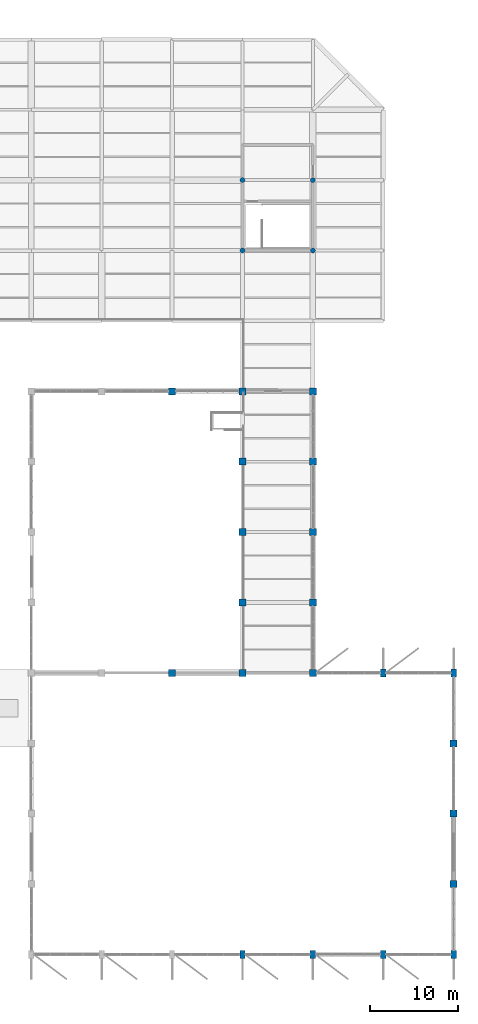
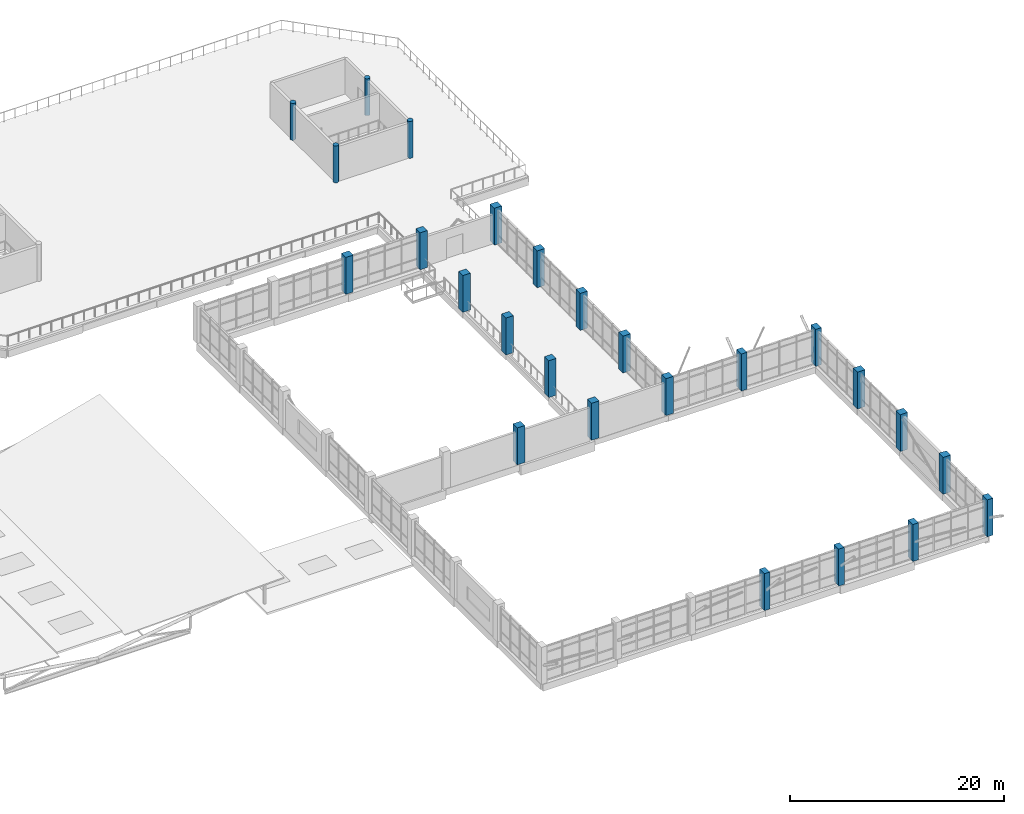
# One storey, part 2 of 84: 25 columns.
"""IFC4 building model written with IfcOpenShell, lengths in metres."""

from ifc_helpers import new_model, si_unit, direction, frame, origin, origin_2d, place, context, subcontext, project, spatial, rectangle, circle, extrude, material, material_profile, profile_set, type_object, element, save


model = new_model("IFC4")

# Units and contexts
model_context = context("Model", 3, precision=1e-05, world=origin(), true_north=direction((0.0, 1.0)))
body_context = subcontext(model_context, "Body", "Model", "MODEL_VIEW")
ifc_project = project(units=[si_unit("LENGTHUNIT", "METRE"), si_unit("AREAUNIT", "SQUARE_METRE"), si_unit("VOLUMEUNIT", "CUBIC_METRE"), si_unit("PLANEANGLEUNIT", "RADIAN"), si_unit("MASSUNIT", "GRAM", prefix="KILO")], contexts=[model_context])

# Site, building, storey
site_placement = place(None, origin())
site = spatial("IfcSite", under=ifc_project, at=site_placement, CompositionType="ELEMENT")
building_placement = place(site_placement, origin())
building = spatial("IfcBuilding", under=site, at=building_placement, Name="Tenunan Teduh Sports Hall", CompositionType="ELEMENT")
storey_placement = place(building_placement, frame((0.0, 0.0, 10.800048828125)))
storey = spatial("IfcBuildingStorey", under=building, at=storey_placement, Name="L02", CompositionType="ELEMENT", Elevation=10.800048828125)

# Columns
ifc_material_1 = material(Name="Concrete C40/50", Category="concrete")
ifc_material_profile_1 = material_profile(ifc_material_1, rectangle(XDim=0.60009765625, YDim=0.89990234375, at=origin_2d()), Name="RC 600x900")
ifc_profile_set_1 = profile_set([ifc_material_profile_1], Name="Concrete C40/50")
column_type_1 = type_object("IfcColumnType", Name="COL-RC-600x900", PredefinedType="COLUMN", material=ifc_profile_set_1)
for number, where, z_axis, x_axis, name in (
    (1, (146.0, 14.0, 0.0), (0.0, 0.0, 1.0), (1.0, 0.0, 0.0), "COL-C-17-L02-187"),
    (2, (154.0, 14.0, 0.0), (0.0, 0.0, 1.0), (1.0, 0.0, 0.0), "COL-C-17-L02-200"),
    (3, (162.0, 14.0, 0.0), (0.0, 0.0, 1.0), (1.0, 0.0, 0.0), "COL-C-17-L02-213"),
    (4, (162.0, 46.0, 0.0), (0.0, 0.0, 1.0), (1.0, 0.0, 0.0), "COL-C-17-L02-215"),
    (5, (170.0, 14.0, 0.0), (0.0, 0.0, 1.0), (1.0, 0.0, 0.0), "COL-C-17-L02-221"),
    (6, (170.0, 46.0, 0.0), (0.0, 0.0, 1.0), (1.0, 0.0, 0.0), "COL-C-17-L02-225"),
):
    element("IfcColumn", number, at=place(storey_placement, frame(where, z_axis=z_axis, x_axis=x_axis)), inside=storey, type_object=column_type_1, Name=name, PredefinedType="COLUMN", context=body_context, shape_type="SweptSolid", body=[
        extrude(rectangle(XDim=0.60009765625, YDim=0.89990234375, at=origin_2d()), origin(), (0.0, 0.0, 1.0), 4.199951171875),
    ])
ifc_material_2 = material(Name="Concrete C40/50", Category="concrete")
ifc_material_profile_2 = material_profile(ifc_material_2, rectangle(XDim=0.800048828125, YDim=0.800048828125, at=origin_2d()), Name="RC 800x800")
ifc_profile_set_2 = profile_set([ifc_material_profile_2], Name="Concrete C40/50")
column_type_2 = type_object("IfcColumnType", Name="COL-RC-800", PredefinedType="COLUMN", material=ifc_profile_set_2)
for number, where, z_axis, x_axis, name in (
    (7, (138.0, 46.0, 0.0), (0.0, 0.0, 1.0), (1.0, 0.0, 0.0), "COL-C-05-L02-179"),
    (8, (138.0, 78.0, 0.0), (0.0, 0.0, 1.0), (1.0, 0.0, 0.0), "COL-C-05-L02-180"),
    (9, (146.0, 46.0, 0.0), (0.0, 0.0, 1.0), (1.0, 0.0, 0.0), "COL-C-05-L02-189"),
    (10, (146.0, 54.0, 0.0), (0.0, 0.0, 1.0), (1.0, 0.0, 0.0), "COL-C-05-L02-190"),
    (11, (146.0, 62.0, 0.0), (0.0, 0.0, 1.0), (1.0, 0.0, 0.0), "COL-C-05-L02-191"),
    (12, (146.0, 70.0, 0.0), (0.0, 0.0, 1.0), (1.0, 0.0, 0.0), "COL-C-05-L02-192"),
    (13, (146.0, 78.0, 0.0), (0.0, 0.0, 1.0), (1.0, 0.0, 0.0), "COL-C-05-L02-193"),
    (14, (154.0, 46.0, 0.0), (0.0, 0.0, 1.0), (1.0, 0.0, 0.0), "COL-C-05-L02-202"),
    (15, (154.0, 54.0, 0.0), (0.0, 0.0, 1.0), (1.0, 0.0, 0.0), "COL-C-05-L02-203"),
    (16, (154.0, 62.0, 0.0), (0.0, 0.0, 1.0), (1.0, 0.0, 0.0), "COL-C-05-L02-204"),
    (17, (154.0, 70.0, 0.0), (0.0, 0.0, 1.0), (1.0, 0.0, 0.0), "COL-C-05-L02-205"),
    (18, (154.0, 78.0, 0.0), (0.0, 0.0, 1.0), (1.0, 0.0, 0.0), "COL-C-05-L02-206"),
    (19, (170.0, 22.0, 0.0), (0.0, 0.0, 1.0), (1.0, 0.0, 0.0), "COL-C-05-L02-222"),
    (20, (170.0, 30.0, 0.0), (0.0, 0.0, 1.0), (1.0, 0.0, 0.0), "COL-C-05-L02-223"),
    (21, (170.0, 38.0, 0.0), (0.0, 0.0, 1.0), (1.0, 0.0, 0.0), "COL-C-05-L02-224"),
):
    element("IfcColumn", number, at=place(storey_placement, frame(where, z_axis=z_axis, x_axis=x_axis)), inside=storey, type_object=column_type_2, Name=name, PredefinedType="COLUMN", context=body_context, shape_type="SweptSolid", body=[
        extrude(rectangle(XDim=0.800048828125, YDim=0.800048828125, at=origin_2d()), origin(), (0.0, 0.0, 1.0), 4.199951171875),
    ])
ifc_material_3 = material(Name="Concrete C40/50", Category="concrete")
ifc_material_profile_3 = material_profile(ifc_material_3, circle(Radius=0.27490234375, at=origin_2d()), Name="RCC D550")
ifc_profile_set_3 = profile_set([ifc_material_profile_3], Name="Concrete C40/50")
column_type_3 = type_object("IfcColumnType", Name="COL-RCC-550", PredefinedType="COLUMN", material=ifc_profile_set_3)
for number, where, z_axis, x_axis, name in (
    (22, (146.0, 94.0, 0.0), (0.0, 0.0, 1.0), (1.0, 0.0, 0.0), "COL-C-22-L02-195"),
    (23, (146.0, 102.0, 0.0), (0.0, 0.0, 1.0), (1.0, 0.0, 0.0), "COL-C-22-L02-196"),
    (24, (154.0, 94.0, 0.0), (0.0, 0.0, 1.0), (1.0, 0.0, 0.0), "COL-C-22-L02-208"),
    (25, (154.0, 102.0, 0.0), (0.0, 0.0, 1.0), (1.0, 0.0, 0.0), "COL-C-22-L02-209"),
):
    element("IfcColumn", number, at=place(storey_placement, frame(where, z_axis=z_axis, x_axis=x_axis)), inside=storey, type_object=column_type_3, Name=name, PredefinedType="COLUMN", context=body_context, shape_type="SweptSolid", body=[
        extrude(circle(Radius=0.27490234375, at=origin_2d()), origin(), (0.0, 0.0, 1.0), 4.199951171875),
    ])

save(model, "model.ifc")
